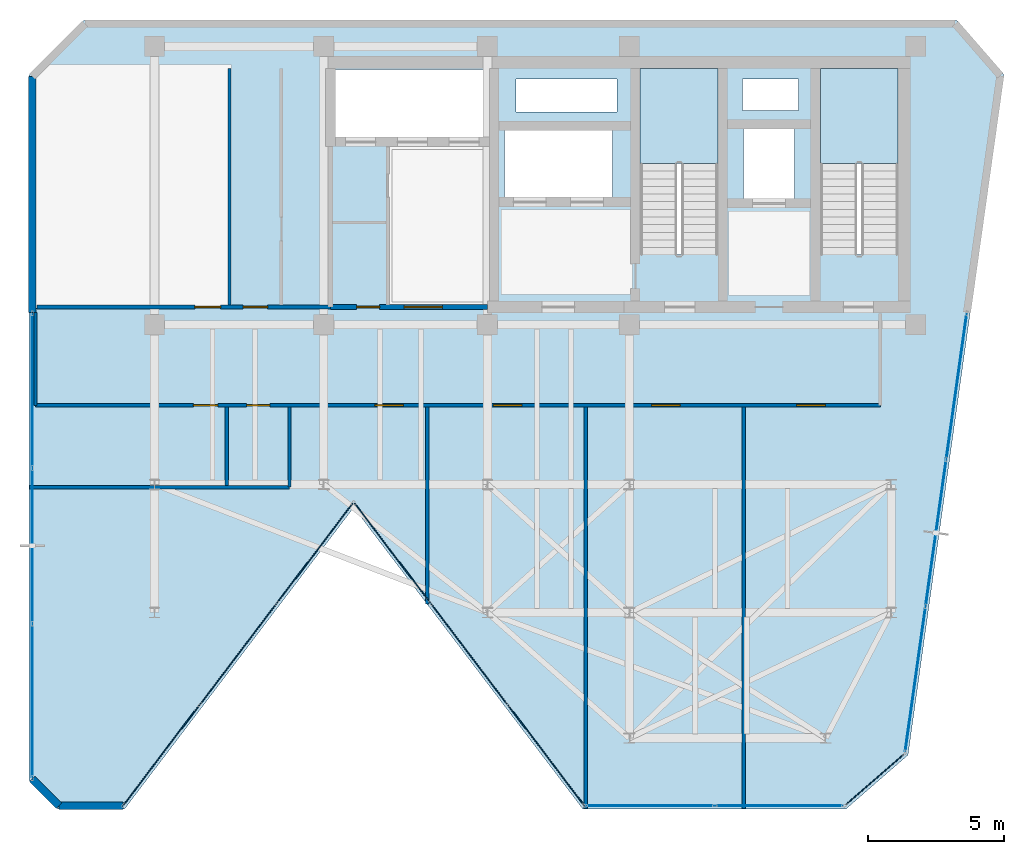
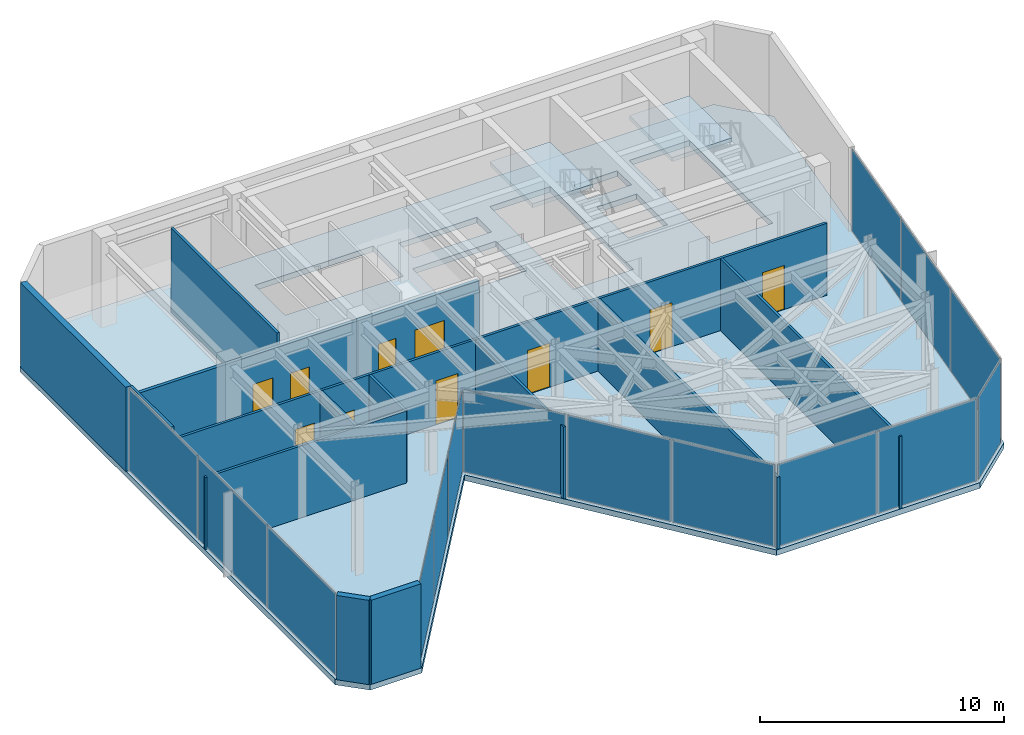
# One storey, part 13 of 17: 15 plates, 14 walls, 10 doors, 3 slabs, 10 openings, 8 elements without a shape of their own.
"""IFC4 building model written with IfcOpenShell, lengths in metres."""

from ifc_helpers import new_model, si_unit, direction, frame, frame_2d, origin, origin_2d, place, context, subcontext, project, spatial, polyline, rectangle, outline, extrude, material, layer, layer_set, type_object, element, fill, aggregate, save


model = new_model("IFC4")

# Units and contexts
model_context = context("Model", 3, precision=1e-05, world=origin(), true_north=direction((0.0, 1.0)))
body_context = subcontext(model_context, "Body", "Model", "MODEL_VIEW")
ifc_project = project(units=[si_unit("LENGTHUNIT", "METRE"), si_unit("AREAUNIT", "SQUARE_METRE"), si_unit("VOLUMEUNIT", "CUBIC_METRE"), si_unit("PLANEANGLEUNIT", "RADIAN"), si_unit("MASSUNIT", "GRAM", prefix="KILO")], contexts=[model_context])

# Site, building, storey
site_placement = place(None, origin())
site = spatial("IfcSite", under=ifc_project, at=site_placement, CompositionType="ELEMENT")
building_placement = place(site_placement, origin())
building = spatial("IfcBuilding", under=site, at=building_placement, Name="Kravanh Interchange Tower", CompositionType="ELEMENT")
storey_placement = place(building_placement, frame((0.0, 0.0, 311.10009765625)))
storey = spatial("IfcBuildingStorey", under=building, at=storey_placement, Name="L77", CompositionType="ELEMENT", Elevation=311.10009765625)

# Slab
ifc_material_1 = material(Name="Concrete C60/75", Category="concrete")
ifc_layer_1 = layer(ifc_material_1, 0.280029296875)
ifc_layer_set_1 = layer_set([ifc_layer_1], Name="Composite Floor Slab Concrete C60/75 280mm")
slab_type_1 = type_object("IfcSlabType", Name="Composite Floor Slab Concrete C60/75 280mm", PredefinedType="FLOOR", material=ifc_layer_set_1)
slab_1_placement = place(storey_placement, frame((0.0, 0.0, -0.280029296875)))
element("IfcSlab", 1, at=slab_1_placement, inside=storey, type_object=slab_type_1, Name="L77 Structural Floor Slab", PredefinedType="FLOOR", context=body_context, shape_type="SweptSolid", body=[
    extrude(outline(polyline([(34.0, 20.64990234375), (35.050048828125, 19.60009765625), (37.5, 19.60009765625), (45.89990234375, 30.652587890625), (54.300048828125, 19.60009765625), (63.9384765625, 19.60009765625), (66.216796875, 21.58056640625), (69.7216796875, 46.51953125), (68.0, 48.5), (36.0, 48.5), (34.0, 46.5), (34.0, 20.64990234375)]), holes=[polyline([(65.85009765625, 39.925048828125), (65.85009765625, 46.75), (63.0, 46.75), (63.0, 39.925048828125), (65.85009765625, 39.925048828125)]), polyline([(59.25, 39.925048828125), (59.25, 46.75), (56.39990234375, 46.75), (56.39990234375, 39.925048828125), (59.25, 39.925048828125)]), polyline([(45.239990234375, 44.219970703125), (50.840087890625, 44.219970703125), (50.840087890625, 46.699951171875), (45.239990234375, 46.699951171875), (45.239990234375, 44.219970703125)]), polyline([(51.419921875, 42.02001953125), (55.3798828125, 42.02001953125), (55.3798828125, 44.47998046875), (51.419921875, 44.47998046875), (51.419921875, 42.02001953125)]), polyline([(60.179931640625, 41.97998046875), (62.06005859375, 41.97998046875), (62.06005859375, 44.52001953125), (60.179931640625, 44.52001953125), (60.179931640625, 41.97998046875)]), polyline([(60.14990234375, 45.199951171875), (62.199951171875, 45.199951171875), (62.199951171875, 46.35009765625), (60.14990234375, 46.35009765625), (60.14990234375, 45.199951171875)]), polyline([(51.85009765625, 45.14990234375), (55.550048828125, 45.14990234375), (55.550048828125, 46.35009765625), (51.85009765625, 46.35009765625), (51.85009765625, 45.14990234375)])]), origin(), (0.0, 0.0, 1.0), 0.280029296875),
])

# Stair, slab
ifc_material_2 = material(Name="Concrete C50/60", Category="concrete")
stair_type = type_object("IfcStairType", Name="Core Fire Exit Dogleg Stair Concrete C50/60", PredefinedType="HALF_TURN_STAIR", material=ifc_material_2)
stair_1_placement = place(storey_placement, origin())
stair_1 = element("IfcStair", 2, at=stair_1_placement, inside=storey, type_object=stair_type, Name="L77 Exit Stair ST1", PredefinedType="HALF_TURN_STAIR")
ifc_material_3 = material(Name="Concrete C50/60", Category="concrete")
ifc_layer_2 = layer(ifc_material_3, 0.199951171875)
ifc_layer_set_2 = layer_set([ifc_layer_2], Name="Concrete C50/60 Stair Half-Landing Slab 200mm")
slab_type_2 = type_object("IfcSlabType", Name="Concrete C50/60 Stair Half-Landing Slab 200mm", PredefinedType="LANDING", material=ifc_layer_set_2)
slab_2_placement = place(storey_placement, frame((0.0, 0.0, 2.0498046875)))
slab_2 = element("IfcSlab", 3, at=slab_2_placement, type_object=slab_type_2, Name="ST1 landing 1", PredefinedType="LANDING", context=body_context, shape_type="SweptSolid", body=[
    extrude(outline(polyline([(65.85009765625, 43.260009765625), (65.85009765625, 46.75), (63.0, 46.75), (63.0, 43.260009765625), (65.85009765625, 43.260009765625)])), origin(), (0.0, 0.0, 1.0), 0.2001953125),
])
aggregate(stair_1, [slab_2])

stair_2_placement = place(storey_placement, origin())
stair_2 = element("IfcStair", 4, at=stair_2_placement, inside=storey, type_object=stair_type, Name="L77 Exit Stair ST2", PredefinedType="HALF_TURN_STAIR")
slab_3_placement = place(storey_placement, frame((0.0, 0.0, 2.0498046875)))
slab_3 = element("IfcSlab", 5, at=slab_3_placement, type_object=slab_type_2, Name="ST2 landing 1", PredefinedType="LANDING", context=body_context, shape_type="SweptSolid", body=[
    extrude(outline(polyline([(59.25, 43.260009765625), (59.25, 46.75), (56.39990234375, 46.75), (56.39990234375, 43.260009765625), (59.25, 43.260009765625)])), origin(), (0.0, 0.0, 1.0), 0.2001953125),
])
aggregate(stair_2, [slab_3])

# Curtain wall, plates
ifc_material_4 = material(Name="Anodised Bronze Aluminium", Category="aluminium")
ifc_layer_3 = layer(ifc_material_4, 0.179931640625)
ifc_layer_set_3 = layer_set([ifc_layer_3], Name="Unitised Curtain Wall System CW-SKY Sky Observatory")
curtain_wall_type = type_object("IfcCurtainWallType", Name="Unitised Curtain Wall System CW-SKY Sky Observatory", PredefinedType="NOTDEFINED", material=ifc_layer_set_3)
curtain_wall_1_placement = place(storey_placement, origin())
curtain_wall_1 = element("IfcCurtainWall", 6, at=curtain_wall_1_placement, inside=storey, type_object=curtain_wall_type, Name="L77 Unitised Curtain Wall CW-L77-01", PredefinedType="NOTDEFINED")
ifc_material_5 = material(Name="Low-E Laminated Architectural Glass", Category="glass")
ifc_layer_4 = layer(ifc_material_5, 0.035888671875)
ifc_layer_set_4 = layer_set([ifc_layer_4], Name="Extra-Clear Low-Iron Glazing 36mm")
plate_type = type_object("IfcPlateType", Name="Extra-Clear Low-Iron Glazing 36mm", PredefinedType="CURTAIN_PANEL", material=ifc_layer_set_4)
plate_1_placement = place(storey_placement, frame((34.1201171875, 23.567138671875, 0.059814453125), z_axis=(0.0, 0.0, 1.0), x_axis=(0.0, 1.0, 0.0)))
plate_1 = element("IfcPlate", 7, at=plate_1_placement, type_object=plate_type, Name="CW-SKY panel 1.1", PredefinedType="CURTAIN_PANEL", context=body_context, shape_type="SweptSolid", body=[
    extrude(rectangle(XDim=5.59521484375, YDim=0.035888671875, at=origin_2d()), origin(), (0.0, 0.0, 1.0), 4.10009765625),
])
plate_2_placement = place(storey_placement, frame((34.1201171875, 29.249755859375, 0.059814453125), z_axis=(0.0, 0.0, 1.0), x_axis=(0.0, 1.0, 0.0)))
plate_2 = element("IfcPlate", 8, at=plate_2_placement, type_object=plate_type, Name="CW-SKY panel 2.1", PredefinedType="CURTAIN_PANEL", context=body_context, shape_type="SweptSolid", body=[
    extrude(rectangle(XDim=5.630126953125, YDim=0.035888671875, at=origin_2d()), origin(), (0.0, 0.0, 1.0), 4.10009765625),
])
plate_3_placement = place(storey_placement, frame((34.1201171875, 34.932373046875, 0.059814453125), z_axis=(0.0, 0.0, 1.0), x_axis=(0.0, 1.0, 0.0)))
plate_3 = element("IfcPlate", 9, at=plate_3_placement, type_object=plate_type, Name="CW-SKY panel 3.1", PredefinedType="CURTAIN_PANEL", context=body_context, shape_type="SweptSolid", body=[
    extrude(rectangle(XDim=5.59521484375, YDim=0.035888671875, at=origin_2d()), origin(), (0.0, 0.0, 1.0), 4.10009765625),
])
aggregate(curtain_wall_1, [plate_1, plate_2, plate_3])

curtain_wall_2_placement = place(storey_placement, origin())
curtain_wall_2 = element("IfcCurtainWall", 10, at=curtain_wall_2_placement, inside=storey, type_object=curtain_wall_type, Name="L77 Unitised Curtain Wall CW-L77-02", PredefinedType="NOTDEFINED")
plate_4_placement = place(storey_placement, frame((67.994140625, 35.089599609375, 0.059814453125), z_axis=(0.0, 0.0, 1.0), x_axis=(-0.139178207869, -0.990267350999, 0.0)))
plate_4 = element("IfcPlate", 11, at=plate_4_placement, type_object=plate_type, Name="CW-SKY panel 1.1", PredefinedType="CURTAIN_PANEL", context=body_context, shape_type="SweptSolid", body=[
    extrude(rectangle(XDim=5.333984375, YDim=0.035888671875, at=origin_2d()), origin(), (0.0, 0.0, 1.0), 4.10009765625),
])
plate_5_placement = place(storey_placement, frame((67.239501953125, 29.720703125, 0.059814453125), z_axis=(0.0, 0.0, 1.0), x_axis=(-0.139178207869, -0.990267350999, 0.0)))
plate_5 = element("IfcPlate", 12, at=plate_5_placement, type_object=plate_type, Name="CW-SKY panel 2.1", PredefinedType="CURTAIN_PANEL", context=body_context, shape_type="SweptSolid", body=[
    extrude(rectangle(XDim=5.369140625, YDim=0.035888671875, at=origin_2d()), origin(), (0.0, 0.0, 1.0), 4.10009765625),
])
plate_6_placement = place(storey_placement, frame((66.485107421875, 24.35205078125, 0.059814453125), z_axis=(0.0, 0.0, 1.0), x_axis=(-0.139178207869, -0.990267350999, 0.0)))
plate_6 = element("IfcPlate", 13, at=plate_6_placement, type_object=plate_type, Name="CW-SKY panel 3.1", PredefinedType="CURTAIN_PANEL", context=body_context, shape_type="SweptSolid", body=[
    extrude(rectangle(XDim=5.333984375, YDim=0.035888671875, at=origin_2d()), origin(), (0.0, 0.0, 1.0), 4.10009765625),
])
aggregate(curtain_wall_2, [plate_4, plate_5, plate_6])

# Curtain wall, plate
curtain_wall_3_placement = place(storey_placement, origin())
curtain_wall_3 = element("IfcCurtainWall", 14, at=curtain_wall_3_placement, inside=storey, type_object=curtain_wall_type, Name="L77 Unitised Curtain Wall CW-L77-03", PredefinedType="NOTDEFINED")
plate_7_placement = place(storey_placement, frame((64.998779296875, 20.680908203125, 0.059814453125), z_axis=(0.0, 0.0, 1.0), x_axis=(-0.754717231494, -0.656050227106, 0.0)))
plate_7 = element("IfcPlate", 15, at=plate_7_placement, type_object=plate_type, Name="CW-SKY panel 1.1", PredefinedType="CURTAIN_PANEL", context=body_context, shape_type="SweptSolid", body=[
    extrude(rectangle(XDim=2.7890625, YDim=0.035888671875, at=origin_2d()), origin(), (0.0, 0.0, 1.0), 4.10009765625),
])
aggregate(curtain_wall_3, [plate_7])

# Curtain wall, plates
curtain_wall_4_placement = place(storey_placement, origin())
curtain_wall_4 = element("IfcCurtainWall", 16, at=curtain_wall_4_placement, inside=storey, type_object=curtain_wall_type, Name="L77 Unitised Curtain Wall CW-L77-04", PredefinedType="NOTDEFINED")
plate_8_placement = place(storey_placement, frame((61.492431640625, 19.719970703125, 0.059814453125), z_axis=(0.0, 0.0, 1.0), x_axis=(-1.0, 0.0, 0.0)))
plate_8 = element("IfcPlate", 17, at=plate_8_placement, type_object=plate_type, Name="CW-SKY panel 1.1", PredefinedType="CURTAIN_PANEL", context=body_context, shape_type="SweptSolid", body=[
    extrude(rectangle(XDim=4.662109375, YDim=0.035888671875, at=origin_2d()), origin(), (0.0, 0.0, 1.0), 4.10009765625),
])
plate_9_placement = place(storey_placement, frame((56.760498046875, 19.719970703125, 0.059814453125), z_axis=(0.0, 0.0, 1.0), x_axis=(-1.0, 0.0, 0.0)))
plate_9 = element("IfcPlate", 18, at=plate_9_placement, type_object=plate_type, Name="CW-SKY panel 2.1", PredefinedType="CURTAIN_PANEL", context=body_context, shape_type="SweptSolid", body=[
    extrude(rectangle(XDim=4.662109375, YDim=0.035888671875, at=origin_2d()), origin(), (0.0, 0.0, 1.0), 4.10009765625),
])
aggregate(curtain_wall_4, [plate_8, plate_9])

curtain_wall_5_placement = place(storey_placement, origin())
curtain_wall_5 = element("IfcCurtainWall", 19, at=curtain_wall_5_placement, inside=storey, type_object=curtain_wall_type, Name="L77 Unitised Curtain Wall CW-L77-05", PredefinedType="NOTDEFINED")
plate_10_placement = place(storey_placement, frame((52.93896484375, 21.589111328125, 0.059814453125), z_axis=(0.0, 0.0, 1.0), x_axis=(-0.605083992962, 0.796161642797, 0.0)))
plate_10 = element("IfcPlate", 20, at=plate_10_placement, type_object=plate_type, Name="CW-SKY panel 1.1", PredefinedType="CURTAIN_PANEL", context=body_context, shape_type="SweptSolid", body=[
    extrude(rectangle(XDim=4.55517578125, YDim=0.035888671875, at=origin_2d()), origin(), (0.0, 0.0, 1.0), 4.10009765625),
])
plate_11_placement = place(storey_placement, frame((50.129638671875, 25.285400390625, 0.059814453125), z_axis=(0.0, 0.0, 1.0), x_axis=(-0.605083992962, 0.796161642797, 0.0)))
plate_11 = element("IfcPlate", 21, at=plate_11_placement, type_object=plate_type, Name="CW-SKY panel 2.1", PredefinedType="CURTAIN_PANEL", context=body_context, shape_type="SweptSolid", body=[
    extrude(rectangle(XDim=4.59033203125, YDim=0.035888671875, at=origin_2d()), origin(), (0.0, 0.0, 1.0), 4.10009765625),
])
plate_12_placement = place(storey_placement, frame((47.320556640625, 28.98193359375, 0.059814453125), z_axis=(0.0, 0.0, 1.0), x_axis=(-0.605083992962, 0.796161642797, 0.0)))
plate_12 = element("IfcPlate", 22, at=plate_12_placement, type_object=plate_type, Name="CW-SKY panel 3.1", PredefinedType="CURTAIN_PANEL", context=body_context, shape_type="SweptSolid", body=[
    extrude(rectangle(XDim=4.55517578125, YDim=0.035888671875, at=origin_2d()), origin(), (0.0, 0.0, 1.0), 4.10009765625),
])
aggregate(curtain_wall_5, [plate_10, plate_11, plate_12])

curtain_wall_6_placement = place(storey_placement, origin())
curtain_wall_6 = element("IfcCurtainWall", 23, at=curtain_wall_6_placement, inside=storey, type_object=curtain_wall_type, Name="L77 Unitised Curtain Wall CW-L77-06", PredefinedType="NOTDEFINED")
plate_13_placement = place(storey_placement, frame((44.4794921875, 28.98193359375, 0.059814453125), z_axis=(0.0, 0.0, 1.0), x_axis=(-0.605083992962, -0.796161642797, 0.0)))
plate_13 = element("IfcPlate", 24, at=plate_13_placement, type_object=plate_type, Name="CW-SKY panel 1.1", PredefinedType="CURTAIN_PANEL", context=body_context, shape_type="SweptSolid", body=[
    extrude(rectangle(XDim=4.55517578125, YDim=0.035888671875, at=origin_2d()), origin(), (0.0, 0.0, 1.0), 4.10009765625),
])
plate_14_placement = place(storey_placement, frame((41.670166015625, 25.285400390625, 0.059814453125), z_axis=(0.0, 0.0, 1.0), x_axis=(-0.605083992962, -0.796161642797, 0.0)))
plate_14 = element("IfcPlate", 25, at=plate_14_placement, type_object=plate_type, Name="CW-SKY panel 2.1", PredefinedType="CURTAIN_PANEL", context=body_context, shape_type="SweptSolid", body=[
    extrude(rectangle(XDim=4.59033203125, YDim=0.035888671875, at=origin_2d()), origin(), (0.0, 0.0, 1.0), 4.10009765625),
])
plate_15_placement = place(storey_placement, frame((38.861083984375, 21.589111328125, 0.059814453125), z_axis=(0.0, 0.0, 1.0), x_axis=(-0.605083992962, -0.796161642797, 0.0)))
plate_15 = element("IfcPlate", 26, at=plate_15_placement, type_object=plate_type, Name="CW-SKY panel 3.1", PredefinedType="CURTAIN_PANEL", context=body_context, shape_type="SweptSolid", body=[
    extrude(rectangle(XDim=4.55517578125, YDim=0.035888671875, at=origin_2d()), origin(), (0.0, 0.0, 1.0), 4.10009765625),
])
aggregate(curtain_wall_6, [plate_13, plate_14, plate_15])

# Wall
ifc_material_6 = material(Name="Double Acoustic Gypsum Board and Mineral Wool")
ifc_layer_5 = layer(ifc_material_6, 0.1201171875)
ifc_layer_set_5 = layer_set([ifc_layer_5], Name="Acoustic Office Drywall Partition 120mm")
wall_type_1 = type_object("IfcWallType", Name="Acoustic Office Drywall Partition 120mm", PredefinedType="PARTITIONING", material=ifc_layer_set_5)
wall_1_placement = place(storey_placement, frame((41.35009765625, 38.068115234375, 0.0), z_axis=(0.0, 0.0, 1.0), x_axis=(0.0, 1.0, 0.0)))
element("IfcWall", 27, at=wall_1_placement, inside=storey, type_object=wall_type_1, Name="L77 Interior Partition 7", PredefinedType="PARTITIONING", context=body_context, shape_type="SweptSolid", body=[
    extrude(rectangle(XDim=8.681884765625, YDim=0.1201171875, at=frame_2d((4.3408203125, 0.0))), origin(), (0.0, 0.0, 1.0), 4.219970703125),
])

# Wall, openings, doors
wall_2_placement = place(storey_placement, frame((34.239990234375, 34.39990234375, 0.0), z_axis=(0.0, 0.0, 1.0), x_axis=(1.0, 0.0, 0.0)))
wall_2 = element("IfcWall", 28, at=wall_2_placement, inside=storey, type_object=wall_type_1, Name="L77 Interior Partition 9", PredefinedType="PARTITIONING", context=body_context, shape_type="SweptSolid", body=[
    extrude(rectangle(XDim=30.9599609375, YDim=0.1201171875, at=frame_2d((15.47998046875, 0.0))), origin(), (0.0, 0.0, 1.0), 3.60888671875),
])
opening_1_placement = place(wall_2_placement, frame((5.784912109375, 0.0, 0.0)))
opening_1 = element("IfcOpeningElement", 29, at=opening_1_placement, cuts=wall_2, Name="Opening D-90", PredefinedType="OPENING", context=body_context, shape_type="SweptSolid", body=[
    extrude(rectangle(XDim=0.89990234375, YDim=2.10009765625, at=frame_2d((0.449951171875, 1.050048828125))), frame((0.0, 0.070068359375, 0.0), z_axis=(0.0, -1.0, 0.0), x_axis=(1.0, 0.0, 0.0)), (0.0, 0.0, 1.0), 0.14013671875),
])
opening_2_placement = place(wall_2_placement, frame((7.735107421875, 0.0, 0.0)))
opening_2 = element("IfcOpeningElement", 30, at=opening_2_placement, cuts=wall_2, Name="Opening D-85", PredefinedType="OPENING", context=body_context, shape_type="SweptSolid", body=[
    extrude(rectangle(XDim=0.85009765625, YDim=2.10009765625, at=frame_2d((0.425048828125, 1.050048828125))), frame((0.0, 0.070068359375, 0.0), z_axis=(0.0, -1.0, 0.0), x_axis=(1.0, 0.0, 0.0)), (0.0, 0.0, 1.0), 0.14013671875),
])
opening_3_placement = place(wall_2_placement, frame((12.43505859375, 0.0, 0.0)))
opening_3 = element("IfcOpeningElement", 31, at=opening_3_placement, cuts=wall_2, Name="Opening D-105", PredefinedType="OPENING", context=body_context, shape_type="SweptSolid", body=[
    extrude(rectangle(XDim=1.050048828125, YDim=2.199951171875, at=frame_2d((0.52490234375, 1.10009765625))), frame((0.0, 0.070068359375, 0.0), z_axis=(0.0, -1.0, 0.0), x_axis=(1.0, 0.0, 0.0)), (0.0, 0.0, 1.0), 0.14013671875),
])
opening_4_placement = place(wall_2_placement, frame((16.775634765625, 0.0, 0.0)))
opening_4 = element("IfcOpeningElement", 32, at=opening_4_placement, cuts=wall_2, Name="Opening D-105", PredefinedType="OPENING", context=body_context, shape_type="SweptSolid", body=[
    extrude(rectangle(XDim=1.050048828125, YDim=2.199951171875, at=frame_2d((0.52490234375, 1.10009765625))), frame((0.0, 0.070068359375, 0.0), z_axis=(0.0, -1.0, 0.0), x_axis=(1.0, 0.0, 0.0)), (0.0, 0.0, 1.0), 0.14013671875),
])
opening_5_placement = place(wall_2_placement, frame((22.57568359375, 0.0, 0.0)))
opening_5 = element("IfcOpeningElement", 33, at=opening_5_placement, cuts=wall_2, Name="Opening D-105", PredefinedType="OPENING", context=body_context, shape_type="SweptSolid", body=[
    extrude(rectangle(XDim=1.050048828125, YDim=2.199951171875, at=frame_2d((0.52490234375, 1.10009765625))), frame((0.0, 0.070068359375, 0.0), z_axis=(0.0, -1.0, 0.0), x_axis=(1.0, 0.0, 0.0)), (0.0, 0.0, 1.0), 0.14013671875),
])
opening_6_placement = place(wall_2_placement, frame((27.89404296875, 0.0, 0.0)))
opening_6 = element("IfcOpeningElement", 34, at=opening_6_placement, cuts=wall_2, Name="Opening D-105", PredefinedType="OPENING", context=body_context, shape_type="SweptSolid", body=[
    extrude(rectangle(XDim=1.050048828125, YDim=2.199951171875, at=frame_2d((0.52490234375, 1.10009765625))), frame((0.0, 0.070068359375, 0.0), z_axis=(0.0, -1.0, 0.0), x_axis=(1.0, 0.0, 0.0)), (0.0, 0.0, 1.0), 0.14013671875),
])
ifc_material_7 = material(Name="Engineered Teak Veneer Timber", Category="wood")
door_type_1 = type_object("IfcDoorType", Name="En-Suite Timber Door 850x2100", OperationType="NOTDEFINED", PredefinedType="DOOR", material=ifc_material_7)
door_1_placement = place(opening_2_placement, origin())
door_1 = element("IfcDoor", 35, at=door_1_placement, inside=storey, type_object=door_type_1, Name="L77 L77 Visitor WC Door", OperationType="SINGLE_SWING_RIGHT", OverallHeight=2.10009765625, OverallWidth=0.85009765625, PredefinedType="DOOR", context=body_context, shape_type="SweptSolid", body=[
    extrude(rectangle(XDim=0.85009765625, YDim=2.10009765625, at=frame_2d((0.425048828125, 1.050048828125))), frame((0.0, 0.02490234375, 0.0), z_axis=(0.0, -1.0, 0.0), x_axis=(1.0, 0.0, 0.0)), (0.0, 0.0, 1.0), 0.050048828125),
])
fill(opening_2, door_1)
ifc_material_8 = material(Name="Acoustic Glazed Oak and Aluminium", Category="aluminium")
door_type_2 = type_object("IfcDoorType", Name="Office Workplace Door 1050x2200", OperationType="NOTDEFINED", PredefinedType="DOOR", material=ifc_material_8)
door_2_placement = place(opening_3_placement, origin())
door_2 = element("IfcDoor", 36, at=door_2_placement, inside=storey, type_object=door_type_2, Name="L77 West Conservatory Lounge Door", OperationType="SINGLE_SWING_LEFT", OverallHeight=2.199951171875, OverallWidth=1.050048828125, PredefinedType="DOOR", context=body_context, shape_type="SweptSolid", body=[
    extrude(rectangle(XDim=1.050048828125, YDim=2.199951171875, at=frame_2d((0.52490234375, 1.10009765625))), frame((0.0, 0.02490234375, 0.0), z_axis=(0.0, -1.0, 0.0), x_axis=(1.0, 0.0, 0.0)), (0.0, 0.0, 1.0), 0.050048828125),
])
fill(opening_3, door_2)
door_3_placement = place(opening_4_placement, origin())
door_3 = element("IfcDoor", 37, at=door_3_placement, inside=storey, type_object=door_type_2, Name="L77 Sky Horizon Meeting Room Door", OperationType="SINGLE_SWING_RIGHT", OverallHeight=2.199951171875, OverallWidth=1.050048828125, PredefinedType="DOOR", context=body_context, shape_type="SweptSolid", body=[
    extrude(rectangle(XDim=1.050048828125, YDim=2.199951171875, at=frame_2d((0.52490234375, 1.10009765625))), frame((0.0, 0.02490234375, 0.0), z_axis=(0.0, -1.0, 0.0), x_axis=(1.0, 0.0, 0.0)), (0.0, 0.0, 1.0), 0.050048828125),
])
fill(opening_4, door_3)
door_4_placement = place(opening_5_placement, origin())
door_4 = element("IfcDoor", 38, at=door_4_placement, inside=storey, type_object=door_type_2, Name="L77 Botanical Tasting Kitchenette Door", OperationType="SINGLE_SWING_LEFT", OverallHeight=2.199951171875, OverallWidth=1.050048828125, PredefinedType="DOOR", context=body_context, shape_type="SweptSolid", body=[
    extrude(rectangle(XDim=1.050048828125, YDim=2.199951171875, at=frame_2d((0.52490234375, 1.10009765625))), frame((0.0, 0.02490234375, 0.0), z_axis=(0.0, -1.0, 0.0), x_axis=(1.0, 0.0, 0.0)), (0.0, 0.0, 1.0), 0.050048828125),
])
fill(opening_5, door_4)
door_5_placement = place(opening_6_placement, origin())
door_5 = element("IfcDoor", 39, at=door_5_placement, inside=storey, type_object=door_type_2, Name="L77 Observatory Curator Office Door", OperationType="SINGLE_SWING_RIGHT", OverallHeight=2.199951171875, OverallWidth=1.050048828125, PredefinedType="DOOR", context=body_context, shape_type="SweptSolid", body=[
    extrude(rectangle(XDim=1.050048828125, YDim=2.199951171875, at=frame_2d((0.52490234375, 1.10009765625))), frame((0.0, 0.02490234375, 0.0), z_axis=(0.0, -1.0, 0.0), x_axis=(1.0, 0.0, 0.0)), (0.0, 0.0, 1.0), 0.050048828125),
])
fill(opening_6, door_5)
ifc_material_9 = material(Name="Painted Solid-Core Timber", Category="wood")
door_type_3 = type_object("IfcDoorType", Name="Service Room Door 900x2100", OperationType="NOTDEFINED", PredefinedType="DOOR", material=ifc_material_9)
door_6_placement = place(opening_1_placement, origin())
door_6 = element("IfcDoor", 40, at=door_6_placement, inside=storey, type_object=door_type_3, Name="L77 L77 Accessible WC Door", OperationType="SINGLE_SWING_LEFT", OverallHeight=2.10009765625, OverallWidth=0.89990234375, PredefinedType="DOOR", context=body_context, shape_type="SweptSolid", body=[
    extrude(rectangle(XDim=0.89990234375, YDim=2.10009765625, at=frame_2d((0.449951171875, 1.050048828125))), frame((0.0, 0.02490234375, 0.0), z_axis=(0.0, -1.0, 0.0), x_axis=(1.0, 0.0, 0.0)), (0.0, 0.0, 1.0), 0.050048828125),
])
fill(opening_1, door_6)

# Walls
wall_3_placement = place(storey_placement, frame((34.239990234375, 34.39990234375, 0.0), z_axis=(0.0, 0.0, 1.0), x_axis=(0.0, 1.0, 0.0)))
element("IfcWall", 41, at=wall_3_placement, inside=storey, type_object=wall_type_1, Name="L77 Interior Partition 10", PredefinedType="PARTITIONING", context=body_context, shape_type="SweptSolid", body=[
    extrude(rectangle(XDim=3.400146484375, YDim=0.1201171875, at=frame_2d((1.7001953125, 0.0))), origin(), (0.0, 0.0, 1.0), 4.219970703125),
])
wall_4_placement = place(storey_placement, frame((41.25, 31.468017578125, 0.0), z_axis=(0.0, 0.0, 1.0), x_axis=(0.0, 1.0, 0.0)))
element("IfcWall", 42, at=wall_4_placement, inside=storey, type_object=wall_type_1, Name="L77 Interior Partition 12", PredefinedType="PARTITIONING", context=body_context, shape_type="SweptSolid", body=[
    extrude(rectangle(XDim=2.864013671875, YDim=0.1201171875, at=frame_2d((1.43212890625, 0.0))), origin(), (0.0, 0.0, 1.0), 3.60888671875),
])
wall_5_placement = place(storey_placement, frame((43.550048828125, 31.39990234375, 0.0), z_axis=(0.0, 0.0, 1.0), x_axis=(0.0, 1.0, 0.0)))
element("IfcWall", 43, at=wall_5_placement, inside=storey, type_object=wall_type_1, Name="L77 Interior Partition 13", PredefinedType="PARTITIONING", context=body_context, shape_type="SweptSolid", body=[
    extrude(rectangle(XDim=2.93212890625, YDim=0.1201171875, at=frame_2d((1.466064453125, 0.0))), origin(), (0.0, 0.0, 1.0), 3.60888671875),
])
wall_6_placement = place(storey_placement, frame((34.014892578125, 31.39990234375, 0.0), z_axis=(0.0, 0.0, 1.0), x_axis=(1.0, 0.0, 0.0)))
element("IfcWall", 44, at=wall_6_placement, inside=storey, type_object=wall_type_1, Name="L77 Interior Partition 14", PredefinedType="PARTITIONING", context=body_context, shape_type="SweptSolid", body=[
    extrude(rectangle(XDim=9.53515625, YDim=0.1201171875, at=frame_2d((4.767578125, 0.0))), origin(), (0.0, 0.0, 1.0), 3.60888671875),
])
wall_7_placement = place(storey_placement, frame((48.60009765625, 27.124755859375, 0.0), z_axis=(0.0, 0.0, 1.0), x_axis=(0.0, 1.0, 0.0)))
element("IfcWall", 45, at=wall_7_placement, inside=storey, type_object=wall_type_1, Name="L77 Interior Partition 15", PredefinedType="PARTITIONING", context=body_context, shape_type="SweptSolid", body=[
    extrude(rectangle(XDim=7.207275390625, YDim=0.1201171875, at=frame_2d((3.603515625, 0.0))), origin(), (0.0, 0.0, 1.0), 3.60888671875),
])
for number, where, z_axis, x_axis, name in (
    (46, (54.39990234375, 19.614990234375, 0.0), (0.0, 0.0, 1.0), (0.0, 1.0, 0.0), "L77 Interior Partition 16"),
    (47, (60.199951171875, 19.614990234375, 0.0), (0.0, 0.0, 1.0), (0.0, 1.0, 0.0), "L77 Interior Partition 17"),
):
    element("IfcWall", number, at=place(storey_placement, frame(where, z_axis=z_axis, x_axis=x_axis)), inside=storey, type_object=wall_type_1, Name=name, PredefinedType="PARTITIONING", context=body_context, shape_type="SweptSolid", body=[
        extrude(rectangle(XDim=14.717041015625, YDim=0.1201171875, at=frame_2d((7.3583984375, 0.0))), origin(), (0.0, 0.0, 1.0), 3.60888671875),
    ])
ifc_material_10 = material(Name="Insulated Precast Concrete C40/50 with Bronze Cladding", Category="concrete")
ifc_layer_6 = layer(ifc_material_10, 0.280029296875)
ifc_layer_set_6 = layer_set([ifc_layer_6], Name="Exterior Insulated Concrete C40/50 Bronze Spandrel Wall 280mm")
wall_type_2 = type_object("IfcWallType", Name="Exterior Insulated Concrete C40/50 Bronze Spandrel Wall 280mm", PredefinedType="STANDARD", material=ifc_layer_set_6)
wall_8_placement = place(storey_placement, frame((34.1201171875, 37.800048828125, 0.0), z_axis=(0.0, 0.0, 1.0), x_axis=(0.0, 1.0, 0.0)))
element("IfcWall", 48, at=wall_8_placement, inside=storey, type_object=wall_type_2, Name="L77 Exterior Wall 1", PredefinedType="STANDARD", context=body_context, shape_type="SweptSolid", body=[
    extrude(rectangle(XDim=8.650146484375, YDim=0.280029296875, at=frame_2d((4.3251953125, 0.0))), origin(), (0.0, 0.0, 1.0), 4.219970703125),
])
wall_9_placement = place(storey_placement, frame((37.4404296875, 19.719970703125, 0.0), z_axis=(0.0, 0.0, 1.0), x_axis=(-1.0, 0.0, 0.0)))
element("IfcWall", 49, at=wall_9_placement, inside=storey, type_object=wall_type_2, Name="L77 Exterior Wall 6", PredefinedType="STANDARD", context=body_context, shape_type="SweptSolid", body=[
    extrude(rectangle(XDim=2.3408203125, YDim=0.280029296875, at=frame_2d((1.17041015625, 0.0))), origin(), (0.0, 0.0, 1.0), 4.219970703125),
])
wall_10_placement = place(storey_placement, frame((35.099609375, 19.719970703125, 0.0), z_axis=(0.0, 0.0, 1.0), x_axis=(-0.707018662703, 0.70719488869, 0.0)))
element("IfcWall", 50, at=wall_10_placement, inside=storey, type_object=wall_type_2, Name="L77 Exterior Wall 7", PredefinedType="STANDARD", context=body_context, shape_type="SweptSolid", body=[
    extrude(rectangle(XDim=1.385498046875, YDim=0.280029296875, at=frame_2d((0.69287109375, 0.0))), origin(), (0.0, 0.0, 1.0), 4.219970703125),
])

# Wall, openings, doors
ifc_material_11 = material(Name="Autoclaved Aerated Concrete C30/37 Blockwork", Category="masonry")
ifc_layer_7 = layer(ifc_material_11, 0.179931640625)
ifc_layer_set_7 = layer_set([ifc_layer_7], Name="Fire-Rated Lobby and Corridor Wall Concrete C30/37 180mm")
wall_type_3 = type_object("IfcWallType", Name="Fire-Rated Lobby and Corridor Wall Concrete C30/37 180mm", PredefinedType="STANDARD", material=ifc_layer_set_7)
wall_11_placement = place(storey_placement, frame((45.050048828125, 38.0, 0.0), z_axis=(0.0, 0.0, 1.0), x_axis=(1.0, 0.0, 0.0)))
wall_11 = element("IfcWall", 51, at=wall_11_placement, inside=storey, type_object=wall_type_3, Name="L77 High-Rise Lift Lobby Wall 1", PredefinedType="STANDARD", context=body_context, shape_type="SweptSolid", body=[
    extrude(rectangle(XDim=5.75, YDim=0.179931640625, at=frame_2d((2.875, 0.0))), origin(), (0.0, 0.0, 1.0), 3.60888671875),
])
opening_7_placement = place(wall_11_placement, frame((0.9541015625, 0.0, 0.0)))
opening_7 = element("IfcOpeningElement", 52, at=opening_7_placement, cuts=wall_11, Name="Opening D-85", PredefinedType="OPENING", context=body_context, shape_type="SweptSolid", body=[
    extrude(rectangle(XDim=0.85009765625, YDim=2.10009765625, at=frame_2d((0.425048828125, 1.050048828125))), frame((0.0, 0.10009765625, 0.0), z_axis=(0.0, -1.0, 0.0), x_axis=(1.0, 0.0, 0.0)), (0.0, 0.0, 1.0), 0.199951171875),
])
opening_8_placement = place(wall_11_placement, frame((2.699951171875, 0.0, 0.0)))
opening_8 = element("IfcOpeningElement", 53, at=opening_8_placement, cuts=wall_11, Name="Opening DBL-140", PredefinedType="OPENING", context=body_context, shape_type="SweptSolid", body=[
    extrude(rectangle(XDim=1.39990234375, YDim=2.199951171875, at=frame_2d((0.699951171875, 1.10009765625))), frame((0.0, 0.10009765625, 0.0), z_axis=(0.0, -1.0, 0.0), x_axis=(1.0, 0.0, 0.0)), (0.0, 0.0, 1.0), 0.199951171875),
])
door_7_placement = place(opening_7_placement, origin())
door_7 = element("IfcDoor", 54, at=door_7_placement, inside=storey, type_object=door_type_1, Name="L77 Core Housekeeping Utility Door", OperationType="SINGLE_SWING_RIGHT", OverallHeight=2.10009765625, OverallWidth=0.85009765625, PredefinedType="DOOR", context=body_context, shape_type="SweptSolid", body=[
    extrude(rectangle(XDim=0.85009765625, YDim=2.10009765625, at=frame_2d((0.425048828125, 1.050048828125))), frame((0.0, 0.02490234375, 0.0), z_axis=(0.0, -1.0, 0.0), x_axis=(1.0, 0.0, 0.0)), (0.0, 0.0, 1.0), 0.050048828125),
])
fill(opening_7, door_7)
ifc_material_12 = material(Name="Acoustic Bronze-Framed Glass", Category="glass")
door_type_4 = type_object("IfcDoorType", Name="Hospitality Lounge Double Door 1400x2200", OperationType="DOUBLE_DOOR_SINGLE_SWING", PredefinedType="DOOR", material=ifc_material_12)
door_8_placement = place(opening_8_placement, origin())
door_8 = element("IfcDoor", 55, at=door_8_placement, inside=storey, type_object=door_type_4, Name="L77 High-Rise Lift Lobby Door", OperationType="DOUBLE_DOOR_SINGLE_SWING", OverallHeight=2.199951171875, OverallWidth=1.39990234375, PredefinedType="DOOR", context=body_context, shape_type="SweptSolid", body=[
    extrude(rectangle(XDim=1.39990234375, YDim=2.199951171875, at=frame_2d((0.699951171875, 1.10009765625))), frame((0.0, 0.02490234375, 0.0), z_axis=(0.0, -1.0, 0.0), x_axis=(1.0, 0.0, 0.0)), (0.0, 0.0, 1.0), 0.050048828125),
])
fill(opening_8, door_8)

ifc_material_13 = material(Name="Twin Stud Acoustic Gypsum Board Wall")
ifc_layer_8 = layer(ifc_material_13, 0.14990234375)
ifc_layer_set_8 = layer_set([ifc_layer_8], Name="Medium-Duty Acoustic Partition 150mm")
wall_type_4 = type_object("IfcWallType", Name="Medium-Duty Acoustic Partition 150mm", PredefinedType="PARTITIONING", material=ifc_layer_set_8)
wall_12_placement = place(storey_placement, frame((34.284912109375, 38.0, 0.0), z_axis=(0.0, 0.0, 1.0), x_axis=(1.0, 0.0, 0.0)))
wall_12 = element("IfcWall", 56, at=wall_12_placement, inside=storey, type_object=wall_type_4, Name="L77 Interior Partition 5", PredefinedType="PARTITIONING", context=body_context, shape_type="SweptSolid", body=[
    extrude(rectangle(XDim=10.76513671875, YDim=0.14990234375, at=frame_2d((5.382568359375, 0.0))), origin(), (0.0, 0.0, 1.0), 3.60888671875),
])
opening_9_placement = place(wall_12_placement, frame((5.7900390625, 0.0, 0.0)))
opening_9 = element("IfcOpeningElement", 57, at=opening_9_placement, cuts=wall_12, Name="Opening D-95", PredefinedType="OPENING", context=body_context, shape_type="SweptSolid", body=[
    extrude(rectangle(XDim=0.949951171875, YDim=2.14990234375, at=frame_2d((0.47509765625, 1.074951171875))), frame((0.0, 0.0849609375, 0.0), z_axis=(0.0, -1.0, 0.0), x_axis=(1.0, 0.0, 0.0)), (0.0, 0.0, 1.0), 0.169921875),
])
opening_10_placement = place(wall_12_placement, frame((7.56494140625, 0.0, 0.0)))
opening_10 = element("IfcOpeningElement", 58, at=opening_10_placement, cuts=wall_12, Name="Opening D-90", PredefinedType="OPENING", context=body_context, shape_type="SweptSolid", body=[
    extrude(rectangle(XDim=0.89990234375, YDim=2.10009765625, at=frame_2d((0.449951171875, 1.050048828125))), frame((0.0, 0.0849609375, 0.0), z_axis=(0.0, -1.0, 0.0), x_axis=(1.0, 0.0, 0.0)), (0.0, 0.0, 1.0), 0.169921875),
])
ifc_material_14 = material(Name="Laminate Solid-Core Timber", Category="wood")
door_type_5 = type_object("IfcDoorType", Name="Accessible Restroom Door 950x2150", OperationType="NOTDEFINED", PredefinedType="DOOR", material=ifc_material_14)
door_9_placement = place(opening_9_placement, origin())
door_9 = element("IfcDoor", 59, at=door_9_placement, inside=storey, type_object=door_type_5, Name="L77 North Library Lounge Door", OperationType="SINGLE_SWING_RIGHT", OverallHeight=2.14990234375, OverallWidth=0.949951171875, PredefinedType="DOOR", context=body_context, shape_type="SweptSolid", body=[
    extrude(rectangle(XDim=0.949951171875, YDim=2.14990234375, at=frame_2d((0.47509765625, 1.074951171875))), frame((0.0, 0.02490234375, 0.0), z_axis=(0.0, -1.0, 0.0), x_axis=(1.0, 0.0, 0.0)), (0.0, 0.0, 1.0), 0.050048828125),
])
fill(opening_9, door_9)
door_10_placement = place(opening_10_placement, origin())
door_10 = element("IfcDoor", 60, at=door_10_placement, inside=storey, type_object=door_type_3, Name="L77 Housekeeping Room Door", OperationType="SINGLE_SWING_LEFT", OverallHeight=2.10009765625, OverallWidth=0.89990234375, PredefinedType="DOOR", context=body_context, shape_type="SweptSolid", body=[
    extrude(rectangle(XDim=0.89990234375, YDim=2.10009765625, at=frame_2d((0.449951171875, 1.050048828125))), frame((0.0, 0.02490234375, 0.0), z_axis=(0.0, -1.0, 0.0), x_axis=(1.0, 0.0, 0.0)), (0.0, 0.0, 1.0), 0.050048828125),
])
fill(opening_10, door_10)

save(model, "model.ifc")
